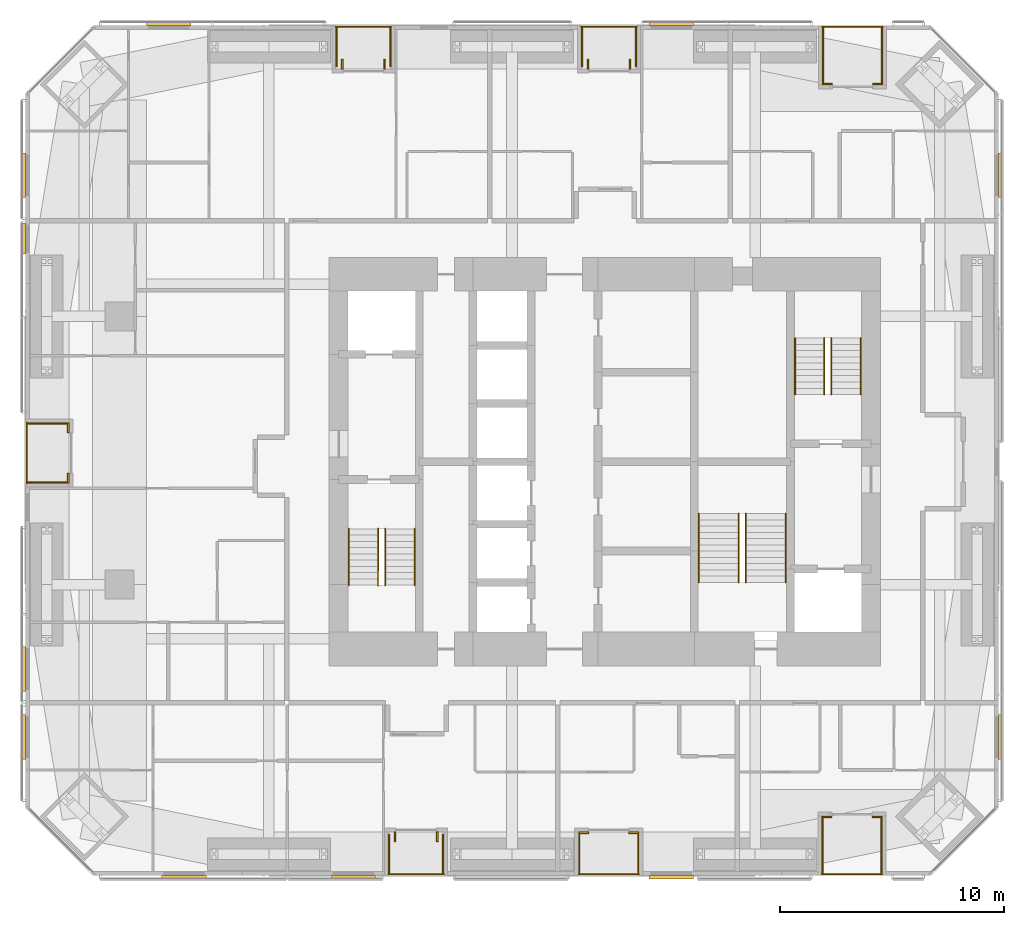
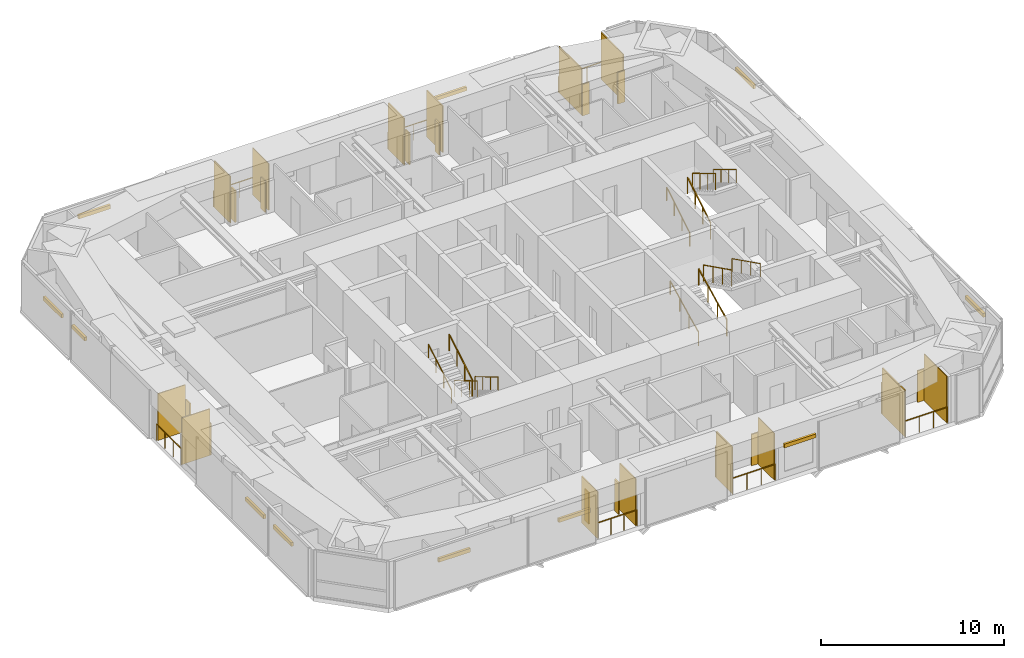
# One storey, part 23 of 23: 39 shading devices, 19 railings.
"""IFC4 building model written with IfcOpenShell, lengths in metres."""

from ifc_helpers import new_model, si_unit, direction, frame, origin, origin_2d, place, context, subcontext, project, spatial, rectangle, circle, extrude, material, layer, layer_set, constituent, constituent_set, type_object, element, save


model = new_model("IFC4")

# Units and contexts
model_context = context("Model", 3, precision=1e-05, world=origin(), true_north=direction((0.0, 1.0)))
body_context = subcontext(model_context, "Body", "Model", "MODEL_VIEW")
ifc_project = project(units=[si_unit("LENGTHUNIT", "METRE"), si_unit("AREAUNIT", "SQUARE_METRE"), si_unit("VOLUMEUNIT", "CUBIC_METRE"), si_unit("PLANEANGLEUNIT", "RADIAN"), si_unit("MASSUNIT", "GRAM", prefix="KILO")], contexts=[model_context])

# Site, building, storey
site_placement = place(None, origin())
site = spatial("IfcSite", under=ifc_project, at=site_placement, CompositionType="ELEMENT")
building_placement = place(site_placement, origin())
building = spatial("IfcBuilding", under=site, at=building_placement, Name="Jalousie Tower", CompositionType="ELEMENT")
storey_placement = place(building_placement, frame((0.0, 0.0, 84.75)))
storey = spatial("IfcBuildingStorey", under=building, at=storey_placement, Name="L22", CompositionType="ELEMENT", Elevation=84.75)

# Shading devices
ifc_material_1 = material(Name="Aluminium impact-rated louvred storm shutter", Category="aluminium")
shading_device_type_1 = type_object("IfcShadingDeviceType", Name="BI-FOLD STORM SHUTTER 900x2100", PredefinedType="SHUTTER", material=ifc_material_1)
for number, where, z_axis, x_axis, name in (
    (1, (22.5224609375, 1.72509765625, 0.0), (0.0, 0.0, 1.0), (0.0, 1.0, 0.0), "Loggia storm shutter L22"),
    (2, (24.402587890625, 1.72509765625, 0.0), (0.0, 0.0, 1.0), (0.0, 1.0, 0.0), "Loggia storm shutter L22"),
    (3, (30.949951171875, 1.909912109375, 0.0), (0.0, 0.0, 1.0), (1.0, 0.0, 0.0), "Loggia storm shutter L22"),
    (4, (33.199951171875, 1.909912109375, 0.0), (0.0, 0.0, 1.0), (1.0, 0.0, 0.0), "Loggia storm shutter L22"),
    (5, (41.824951171875, 2.610107421875, 0.0), (0.0, 0.0, 1.0), (1.0, 0.0, 0.0), "Loggia storm shutter L22"),
    (6, (44.074951171875, 2.610107421875, 0.0), (0.0, 0.0, 1.0), (1.0, 0.0, 0.0), "Loggia storm shutter L22"),
    (7, (44.0986328125, 35.389892578125, 0.0), (0.0, 0.0, 1.0), (-1.0, 0.0, 0.0), "Loggia storm shutter L22"),
    (8, (41.8486328125, 35.389892578125, 0.0), (0.0, 0.0, 1.0), (-1.0, 0.0, 0.0), "Loggia storm shutter L22"),
    (9, (33.027587890625, 36.27490234375, 0.0), (0.0, 0.0, 1.0), (0.0, -1.0, 0.0), "Loggia storm shutter L22"),
    (10, (31.1474609375, 36.27490234375, 0.0), (0.0, 0.0, 1.0), (0.0, -1.0, 0.0), "Loggia storm shutter L22"),
    (11, (22.044677734375, 36.27490234375, 0.0), (0.0, 0.0, 1.0), (0.0, -1.0, 0.0), "Loggia storm shutter L22"),
    (12, (20.164794921875, 36.27490234375, 0.0), (0.0, 0.0, 1.0), (0.0, -1.0, 0.0), "Loggia storm shutter L22"),
    (13, (7.909912109375, 20.012451171875, 0.0), (0.0, 0.0, 1.0), (0.0, -1.0, 0.0), "Loggia storm shutter L22"),
    (14, (7.909912109375, 17.762451171875, 0.0), (0.0, 0.0, 1.0), (0.0, -1.0, 0.0), "Loggia storm shutter L22"),
):
    element("IfcShadingDevice", number, at=place(storey_placement, frame(where, z_axis=z_axis, x_axis=x_axis)), inside=storey, type_object=shading_device_type_1, Name=name, PredefinedType="SHUTTER", context=body_context, shape_type="SweptSolid", body=[
        extrude(rectangle(XDim=0.449951171875, YDim=0.080078125, at=origin_2d()), origin(), (0.0, 0.0, 1.0), 2.10009765625),
    ])

# Railings
ifc_material_2 = material(Name="Powder-coated aluminium fretwork", Category="aluminium")
railing_type_1 = type_object("IfcRailingType", Name="FRETWORK BALUSTRADE 1100", PredefinedType="BALUSTRADE", material=ifc_material_2)
railing_1_placement = place(storey_placement, frame((22.22509765625, 0.050048828125, 0.0)))
element("IfcRailing", 15, at=railing_1_placement, inside=storey, type_object=railing_type_1, Name="Loggia fretwork balustrade L22", PredefinedType="BALUSTRADE", context=body_context, shape_type="SweptSolid", body=[
    extrude(rectangle(XDim=0.048095703125, YDim=0.048095703125, at=origin_2d()), frame((0.0, 0.0, 1.076171875), z_axis=(1.0, 0.0, 0.0), x_axis=(0.0, 1.0, 0.0)), (0.0, 0.0, 1.0), 2.474853515625),
    extrude(circle(Radius=0.02099609375, at=origin_2d()), origin(), (0.0, 0.0, 1.0), 1.052001953125),
    extrude(circle(Radius=0.02099609375, at=origin_2d()), frame((0.824951171875, 0.0, 0.0)), (0.0, 0.0, 1.0), 1.052001953125),
    extrude(circle(Radius=0.02099609375, at=origin_2d()), frame((1.64990234375, 0.0, 0.0)), (0.0, 0.0, 1.0), 1.052001953125),
    extrude(circle(Radius=0.02099609375, at=origin_2d()), frame((2.474853515625, 0.0, 0.0)), (0.0, 0.0, 1.0), 1.052001953125),
])
for number, where, name in (
    (16, (30.72509765625, 0.050048828125, 0.0), "Loggia fretwork balustrade L22"),
    (17, (41.60009765625, 0.050048828125, 0.0), "Loggia fretwork balustrade L22"),
):
    element("IfcRailing", number, at=place(storey_placement, frame(where)), inside=storey, type_object=railing_type_1, Name=name, PredefinedType="BALUSTRADE", context=body_context, shape_type="SweptSolid", body=[
        extrude(rectangle(XDim=0.048095703125, YDim=0.048095703125, at=origin_2d()), frame((0.0, 0.0, 1.076171875), z_axis=(1.0, 0.0, 0.0), x_axis=(0.0, 1.0, 0.0)), (0.0, 0.0, 1.0), 2.699951171875),
        extrude(circle(Radius=0.02099609375, at=origin_2d()), origin(), (0.0, 0.0, 1.0), 1.052001953125),
        extrude(circle(Radius=0.02099609375, at=origin_2d()), frame((0.89990234375, 0.0, 0.0)), (0.0, 0.0, 1.0), 1.052001953125),
        extrude(circle(Radius=0.02099609375, at=origin_2d()), frame((1.800048828125, 0.0, 0.0)), (0.0, 0.0, 1.0), 1.052001953125),
        extrude(circle(Radius=0.02099609375, at=origin_2d()), frame((2.699951171875, 0.0, 0.0)), (0.0, 0.0, 1.0), 1.052001953125),
    ])
railing_2_placement = place(storey_placement, frame((44.32373046875, 37.949951171875, 0.0)))
element("IfcRailing", 18, at=railing_2_placement, inside=storey, type_object=railing_type_1, Name="Loggia fretwork balustrade L22", PredefinedType="BALUSTRADE", context=body_context, shape_type="SweptSolid", body=[
    extrude(rectangle(XDim=0.048095703125, YDim=0.048095703125, at=origin_2d()), frame((0.0, 0.0, 1.076171875), z_axis=(-1.0, 0.0, 0.0), x_axis=(0.0, -1.0, 0.0)), (0.0, 0.0, 1.0), 2.699951171875),
    extrude(circle(Radius=0.02099609375, at=origin_2d()), origin(), (0.0, 0.0, 1.0), 1.052001953125),
    extrude(circle(Radius=0.02099609375, at=origin_2d()), frame((-0.89990234375, 0.0, 0.0)), (0.0, 0.0, 1.0), 1.052001953125),
    extrude(circle(Radius=0.02099609375, at=origin_2d()), frame((-1.800048828125, 0.0, 0.0)), (0.0, 0.0, 1.0), 1.052001953125),
    extrude(circle(Radius=0.02099609375, at=origin_2d()), frame((-2.699951171875, 0.0, 0.0)), (0.0, 0.0, 1.0), 1.052001953125),
])
railing_3_placement = place(storey_placement, frame((33.324951171875, 37.949951171875, 0.0)))
element("IfcRailing", 19, at=railing_3_placement, inside=storey, type_object=railing_type_1, Name="Loggia fretwork balustrade L22", PredefinedType="BALUSTRADE", context=body_context, shape_type="SweptSolid", body=[
    extrude(rectangle(XDim=0.048095703125, YDim=0.048095703125, at=origin_2d()), frame((0.0, 0.0, 1.076171875), z_axis=(-1.0, 0.0, 0.0), x_axis=(0.0, -1.0, 0.0)), (0.0, 0.0, 1.0), 2.474853515625),
    extrude(circle(Radius=0.02099609375, at=origin_2d()), origin(), (0.0, 0.0, 1.0), 1.052001953125),
    extrude(circle(Radius=0.02099609375, at=origin_2d()), frame((-0.824951171875, 0.0, 0.0)), (0.0, 0.0, 1.0), 1.052001953125),
    extrude(circle(Radius=0.02099609375, at=origin_2d()), frame((-1.64990234375, 0.0, 0.0)), (0.0, 0.0, 1.0), 1.052001953125),
    extrude(circle(Radius=0.02099609375, at=origin_2d()), frame((-2.474853515625, 0.0, 0.0)), (0.0, 0.0, 1.0), 1.052001953125),
])
railing_4_placement = place(storey_placement, frame((22.34228515625, 37.949951171875, 0.0)))
element("IfcRailing", 20, at=railing_4_placement, inside=storey, type_object=railing_type_1, Name="Loggia fretwork balustrade L22", PredefinedType="BALUSTRADE", context=body_context, shape_type="SweptSolid", body=[
    extrude(rectangle(XDim=0.048095703125, YDim=0.048095703125, at=origin_2d()), frame((0.0, 0.0, 1.076171875), z_axis=(-1.0, 0.0, 0.0), x_axis=(0.0, -1.0, 0.0)), (0.0, 0.0, 1.0), 2.47509765625),
    extrude(circle(Radius=0.02099609375, at=origin_2d()), origin(), (0.0, 0.0, 1.0), 1.052001953125),
    extrude(circle(Radius=0.02099609375, at=origin_2d()), frame((-0.824951171875, 0.0, 0.0)), (0.0, 0.0, 1.0), 1.052001953125),
    extrude(circle(Radius=0.02099609375, at=origin_2d()), frame((-1.650146484375, 0.0, 0.0)), (0.0, 0.0, 1.0), 1.052001953125),
    extrude(circle(Radius=0.02099609375, at=origin_2d()), frame((-2.47509765625, 0.0, 0.0)), (0.0, 0.0, 1.0), 1.052001953125),
])
railing_5_placement = place(storey_placement, frame((6.050048828125, 20.24169921875, 0.0)))
element("IfcRailing", 21, at=railing_5_placement, inside=storey, type_object=railing_type_1, Name="Loggia fretwork balustrade L22", PredefinedType="BALUSTRADE", context=body_context, shape_type="SweptSolid", body=[
    extrude(rectangle(XDim=0.048095703125, YDim=0.048095703125, at=origin_2d()), frame((0.0, 0.0, 1.076171875), z_axis=(0.0, -1.0, 0.0), x_axis=(1.0, 0.0, 0.0)), (0.0, 0.0, 1.0), 2.70849609375),
    extrude(circle(Radius=0.02099609375, at=origin_2d()), origin(), (0.0, 0.0, 1.0), 1.052001953125),
    extrude(circle(Radius=0.02099609375, at=origin_2d()), frame((0.0, -0.90283203125, 0.0)), (0.0, 0.0, 1.0), 1.052001953125),
    extrude(circle(Radius=0.02099609375, at=origin_2d()), frame((0.0, -1.8056640625, 0.0)), (0.0, 0.0, 1.0), 1.052001953125),
    extrude(circle(Radius=0.02099609375, at=origin_2d()), frame((0.0, -2.70849609375, 0.0)), (0.0, 0.0, 1.0), 1.052001953125),
])

# Shading devices
ifc_material_3 = material(Name="Powder-coated aluminium louvres", Category="aluminium")
ifc_layer = layer(ifc_material_3, 0.06005859375)
ifc_layer_set = layer_set([ifc_layer], Name="Powder-coated aluminium louvres")
shading_device_type_2 = type_object("IfcShadingDeviceType", Name="JALOUSIE LOUVRE SCREEN", PredefinedType="JALOUSIE", material=ifc_layer_set)
for number, where, z_axis, x_axis, name in (
    (22, (22.2548828125, 0.97509765625, 0.0), (0.0, 0.0, 1.0), (1.0, 0.0, 0.0), "Loggia jalousie louvre screen L22"),
    (23, (24.669921875, 0.97509765625, 0.0), (0.0, 0.0, 1.0), (1.0, 0.0, 0.0), "Loggia jalousie louvre screen L22"),
    (24, (30.7548828125, 0.97509765625, 0.0), (0.0, 0.0, 1.0), (1.0, 0.0, 0.0), "Loggia jalousie louvre screen L22"),
    (25, (33.39501953125, 0.97509765625, 0.0), (0.0, 0.0, 1.0), (1.0, 0.0, 0.0), "Loggia jalousie louvre screen L22"),
):
    element("IfcShadingDevice", number, at=place(storey_placement, frame(where, z_axis=z_axis, x_axis=x_axis)), inside=storey, type_object=shading_device_type_2, Name=name, PredefinedType="JALOUSIE", context=body_context, shape_type="SweptSolid", body=[
        extrude(rectangle(XDim=0.06005859375, YDim=1.75, at=origin_2d()), origin(), (0.0, 0.0, 1.0), 3.110107421875),
    ])
for number, where, z_axis, x_axis, name in (
    (26, (41.6298828125, 1.324951171875, 0.0), (0.0, 0.0, 1.0), (1.0, 0.0, 0.0), "Loggia jalousie louvre screen L22"),
    (27, (44.27001953125, 1.324951171875, 0.0), (0.0, 0.0, 1.0), (1.0, 0.0, 0.0), "Loggia jalousie louvre screen L22"),
    (28, (44.293701171875, 36.675048828125, 0.0), (0.0, 0.0, 1.0), (-1.0, 0.0, 0.0), "Loggia jalousie louvre screen L22"),
    (29, (41.65380859375, 36.675048828125, 0.0), (0.0, 0.0, 1.0), (-1.0, 0.0, 0.0), "Loggia jalousie louvre screen L22"),
):
    element("IfcShadingDevice", number, at=place(storey_placement, frame(where, z_axis=z_axis, x_axis=x_axis)), inside=storey, type_object=shading_device_type_2, Name=name, PredefinedType="JALOUSIE", context=body_context, shape_type="SweptSolid", body=[
        extrude(rectangle(XDim=0.06005859375, YDim=2.449951171875, at=origin_2d()), origin(), (0.0, 0.0, 1.0), 3.110107421875),
    ])
for number, where, z_axis, x_axis, name in (
    (30, (33.294921875, 37.02490234375, 0.0), (0.0, 0.0, 1.0), (-1.0, 0.0, 0.0), "Loggia jalousie louvre screen L22"),
    (31, (30.8798828125, 37.02490234375, 0.0), (0.0, 0.0, 1.0), (-1.0, 0.0, 0.0), "Loggia jalousie louvre screen L22"),
    (32, (22.312255859375, 37.02490234375, 0.0), (0.0, 0.0, 1.0), (-1.0, 0.0, 0.0), "Loggia jalousie louvre screen L22"),
    (33, (19.897216796875, 37.02490234375, 0.0), (0.0, 0.0, 1.0), (-1.0, 0.0, 0.0), "Loggia jalousie louvre screen L22"),
    (34, (6.97509765625, 20.211669921875, 0.0), (0.0, 0.0, 1.0), (0.0, -1.0, 0.0), "Loggia jalousie louvre screen L22"),
    (35, (6.97509765625, 17.563232421875, 0.0), (0.0, 0.0, 1.0), (0.0, -1.0, 0.0), "Loggia jalousie louvre screen L22"),
):
    element("IfcShadingDevice", number, at=place(storey_placement, frame(where, z_axis=z_axis, x_axis=x_axis)), inside=storey, type_object=shading_device_type_2, Name=name, PredefinedType="JALOUSIE", context=body_context, shape_type="SweptSolid", body=[
        extrude(rectangle(XDim=0.06005859375, YDim=1.75, at=origin_2d()), origin(), (0.0, 0.0, 1.0), 3.110107421875),
    ])

# Railings
ifc_material_4 = material(Name="Steel ASTM A500 Grade C", Category="steel")
ifc_constituent_1 = constituent(ifc_material_4, Name="Body")
ifc_material_5 = material(Name="Hot-dip galvanised zinc coating")
ifc_constituent_2 = constituent(ifc_material_5, Name="Finish")
ifc_constituent_set_1 = constituent_set(constituents=[ifc_constituent_1, ifc_constituent_2])
railing_type_2 = type_object("IfcRailingType", Name="STAIR GUARD 1100", PredefinedType="GUARDRAIL", material=ifc_constituent_set_1)
railing_6_placement = place(storey_placement, frame((22.080078125, 15.49755859375, 0.16748046875)))
element("IfcRailing", 36, at=railing_6_placement, inside=storey, type_object=railing_type_2, Name="Exit stair A guard L22 flight 1", PredefinedType="GUARDRAIL", context=body_context, shape_type="SweptSolid", body=[
    extrude(rectangle(XDim=0.048095703125, YDim=0.048095703125, at=origin_2d()), frame((0.0, 0.0, 1.076171875), z_axis=(0.0, -0.858159760407, 0.513382728203), x_axis=(1.0, 0.0, 0.0)), (0.0, 0.0, 1.0), 2.9365234375),
    extrude(circle(Radius=0.02099609375, at=origin_2d()), origin(), (0.0, 0.0, 1.0), 1.052001953125),
    extrude(circle(Radius=0.02099609375, at=origin_2d()), frame((0.0, -0.840087890625, 0.50244140625)), (0.0, 0.0, 1.0), 1.052001953125),
    extrude(circle(Radius=0.02099609375, at=origin_2d()), frame((0.0, -1.679931640625, 1.005126953125)), (0.0, 0.0, 1.0), 1.052001953125),
    extrude(circle(Radius=0.02099609375, at=origin_2d()), frame((0.0, -2.52001953125, 1.507568359375)), (0.0, 0.0, 1.0), 1.052001953125),
])
for number, where, name in (
    (37, (21.77001953125, 12.9775390625, 1.842529296875), "Exit stair A guard L22 flight 2"),
    (38, (41.719970703125, 21.50244140625, 0.16748046875), "Exit stair B guard L22 flight 1"),
):
    element("IfcRailing", number, at=place(storey_placement, frame(where)), inside=storey, type_object=railing_type_2, Name=name, PredefinedType="GUARDRAIL", context=body_context, shape_type="SweptSolid", body=[
        extrude(rectangle(XDim=0.048095703125, YDim=0.048095703125, at=origin_2d()), frame((0.0, 0.0, 1.076171875), z_axis=(0.0, 0.858159760407, 0.513382728203), x_axis=(-1.0, 0.0, 0.0)), (0.0, 0.0, 1.0), 2.9365234375),
        extrude(circle(Radius=0.02099609375, at=origin_2d()), origin(), (0.0, 0.0, 1.0), 1.052001953125),
        extrude(circle(Radius=0.02099609375, at=origin_2d()), frame((0.0, 0.840087890625, 0.50244140625)), (0.0, 0.0, 1.0), 1.052001953125),
        extrude(circle(Radius=0.02099609375, at=origin_2d()), frame((0.0, 1.679931640625, 1.005126953125)), (0.0, 0.0, 1.0), 1.052001953125),
        extrude(circle(Radius=0.02099609375, at=origin_2d()), frame((0.0, 2.52001953125, 1.507568359375)), (0.0, 0.0, 1.0), 1.052001953125),
    ])
railing_7_placement = place(storey_placement, frame((42.030029296875, 24.0224609375, 1.842529296875)))
element("IfcRailing", 39, at=railing_7_placement, inside=storey, type_object=railing_type_2, Name="Exit stair B guard L22 flight 2", PredefinedType="GUARDRAIL", context=body_context, shape_type="SweptSolid", body=[
    extrude(rectangle(XDim=0.048095703125, YDim=0.048095703125, at=origin_2d()), frame((0.0, 0.0, 1.076171875), z_axis=(0.0, -0.858159760407, 0.513382728203), x_axis=(1.0, 0.0, 0.0)), (0.0, 0.0, 1.0), 2.9365234375),
    extrude(circle(Radius=0.02099609375, at=origin_2d()), origin(), (0.0, 0.0, 1.0), 1.052001953125),
    extrude(circle(Radius=0.02099609375, at=origin_2d()), frame((0.0, -0.840087890625, 0.50244140625)), (0.0, 0.0, 1.0), 1.052001953125),
    extrude(circle(Radius=0.02099609375, at=origin_2d()), frame((0.0, -1.679931640625, 1.005126953125)), (0.0, 0.0, 1.0), 1.052001953125),
    extrude(circle(Radius=0.02099609375, at=origin_2d()), frame((0.0, -2.52001953125, 1.507568359375)), (0.0, 0.0, 1.0), 1.052001953125),
])
railing_8_placement = place(storey_placement, frame((37.89501953125, 13.097412109375, 0.1396484375)))
element("IfcRailing", 40, at=railing_8_placement, inside=storey, type_object=railing_type_2, Name="Exit stair C guard L22 flight 1", PredefinedType="GUARDRAIL", context=body_context, shape_type="SweptSolid", body=[
    extrude(rectangle(XDim=0.048095703125, YDim=0.048095703125, at=origin_2d()), frame((0.0, 0.0, 1.076171875), z_axis=(0.0, 0.894965676997, 0.446134998624), x_axis=(-1.0, 0.0, 0.0)), (0.0, 0.0, 1.0), 3.441650390625),
    extrude(circle(Radius=0.02099609375, at=origin_2d()), origin(), (0.0, 0.0, 1.0), 1.052001953125),
    extrude(circle(Radius=0.02099609375, at=origin_2d()), frame((0.0, 1.026611328125, 0.51171875)), (0.0, 0.0, 1.0), 1.052001953125),
    extrude(circle(Radius=0.02099609375, at=origin_2d()), frame((0.0, 2.053466796875, 1.023681640625)), (0.0, 0.0, 1.0), 1.052001953125),
    extrude(circle(Radius=0.02099609375, at=origin_2d()), frame((0.0, 3.080078125, 1.535400390625)), (0.0, 0.0, 1.0), 1.052001953125),
])
railing_9_placement = place(storey_placement, frame((38.205078125, 16.177490234375, 1.814697265625)))
element("IfcRailing", 41, at=railing_9_placement, inside=storey, type_object=railing_type_2, Name="Exit stair C guard L22 flight 2", PredefinedType="GUARDRAIL", context=body_context, shape_type="SweptSolid", body=[
    extrude(rectangle(XDim=0.048095703125, YDim=0.048095703125, at=origin_2d()), frame((0.0, 0.0, 1.076171875), z_axis=(0.0, -0.894965676997, 0.446134998624), x_axis=(1.0, 0.0, 0.0)), (0.0, 0.0, 1.0), 3.441650390625),
    extrude(circle(Radius=0.02099609375, at=origin_2d()), origin(), (0.0, 0.0, 1.0), 1.052001953125),
    extrude(circle(Radius=0.02099609375, at=origin_2d()), frame((0.0, -1.026611328125, 0.51171875)), (0.0, 0.0, 1.0), 1.052001953125),
    extrude(circle(Radius=0.02099609375, at=origin_2d()), frame((0.0, -2.053466796875, 1.023681640625)), (0.0, 0.0, 1.0), 1.052001953125),
    extrude(circle(Radius=0.02099609375, at=origin_2d()), frame((0.0, -3.080078125, 1.535400390625)), (0.0, 0.0, 1.0), 1.052001953125),
])
ifc_material_6 = material(Name="Steel ASTM A500 Grade C", Category="steel")
ifc_constituent_3 = constituent(ifc_material_6, Name="Body")
ifc_material_7 = material(Name="Hot-dip galvanised zinc coating")
ifc_constituent_4 = constituent(ifc_material_7, Name="Finish")
ifc_constituent_set_2 = constituent_set(constituents=[ifc_constituent_3, ifc_constituent_4])
railing_type_3 = type_object("IfcRailingType", Name="STAIR HANDRAIL 900", PredefinedType="HANDRAIL", material=ifc_constituent_set_2)
railing_10_placement = place(storey_placement, frame((23.39501953125, 15.49755859375, 0.16748046875)))
element("IfcRailing", 42, at=railing_10_placement, inside=storey, type_object=railing_type_3, Name="Exit stair A handrail L22 flight 1", PredefinedType="HANDRAIL", context=body_context, shape_type="SweptSolid", body=[
    extrude(circle(Radius=0.02392578125, at=origin_2d()), frame((0.0, 0.0, 0.8759765625), z_axis=(0.0, -0.858159760407, 0.513382728203), x_axis=(1.0, 0.0, 0.0)), (0.0, 0.0, 1.0), 2.9365234375),
    extrude(circle(Radius=0.02099609375, at=origin_2d()), origin(), (0.0, 0.0, 1.0), 0.851806640625),
    extrude(circle(Radius=0.02099609375, at=origin_2d()), frame((0.0, -0.840087890625, 0.50244140625)), (0.0, 0.0, 1.0), 0.851806640625),
    extrude(circle(Radius=0.02099609375, at=origin_2d()), frame((0.0, -1.679931640625, 1.005126953125)), (0.0, 0.0, 1.0), 0.851806640625),
    extrude(circle(Radius=0.02099609375, at=origin_2d()), frame((0.0, -2.52001953125, 1.507568359375)), (0.0, 0.0, 1.0), 0.851806640625),
])
for number, where, name in (
    (43, (20.455078125, 12.9775390625, 1.842529296875), "Exit stair A handrail L22 flight 2"),
    (44, (40.405029296875, 21.50244140625, 0.16748046875), "Exit stair B handrail L22 flight 1"),
):
    element("IfcRailing", number, at=place(storey_placement, frame(where)), inside=storey, type_object=railing_type_3, Name=name, PredefinedType="HANDRAIL", context=body_context, shape_type="SweptSolid", body=[
        extrude(circle(Radius=0.02392578125, at=origin_2d()), frame((0.0, 0.0, 0.8759765625), z_axis=(0.0, 0.858159760407, 0.513382728203), x_axis=(-1.0, 0.0, 0.0)), (0.0, 0.0, 1.0), 2.9365234375),
        extrude(circle(Radius=0.02099609375, at=origin_2d()), origin(), (0.0, 0.0, 1.0), 0.851806640625),
        extrude(circle(Radius=0.02099609375, at=origin_2d()), frame((0.0, 0.840087890625, 0.50244140625)), (0.0, 0.0, 1.0), 0.851806640625),
        extrude(circle(Radius=0.02099609375, at=origin_2d()), frame((0.0, 1.679931640625, 1.005126953125)), (0.0, 0.0, 1.0), 0.851806640625),
        extrude(circle(Radius=0.02099609375, at=origin_2d()), frame((0.0, 2.52001953125, 1.507568359375)), (0.0, 0.0, 1.0), 0.851806640625),
    ])
railing_11_placement = place(storey_placement, frame((43.344970703125, 24.0224609375, 1.842529296875)))
element("IfcRailing", 45, at=railing_11_placement, inside=storey, type_object=railing_type_3, Name="Exit stair B handrail L22 flight 2", PredefinedType="HANDRAIL", context=body_context, shape_type="SweptSolid", body=[
    extrude(circle(Radius=0.02392578125, at=origin_2d()), frame((0.0, 0.0, 0.8759765625), z_axis=(0.0, -0.858159760407, 0.513382728203), x_axis=(1.0, 0.0, 0.0)), (0.0, 0.0, 1.0), 2.9365234375),
    extrude(circle(Radius=0.02099609375, at=origin_2d()), origin(), (0.0, 0.0, 1.0), 0.851806640625),
    extrude(circle(Radius=0.02099609375, at=origin_2d()), frame((0.0, -0.840087890625, 0.50244140625)), (0.0, 0.0, 1.0), 0.851806640625),
    extrude(circle(Radius=0.02099609375, at=origin_2d()), frame((0.0, -1.679931640625, 1.005126953125)), (0.0, 0.0, 1.0), 0.851806640625),
    extrude(circle(Radius=0.02099609375, at=origin_2d()), frame((0.0, -2.52001953125, 1.507568359375)), (0.0, 0.0, 1.0), 0.851806640625),
])
railing_12_placement = place(storey_placement, frame((36.10498046875, 13.097412109375, 0.1396484375)))
element("IfcRailing", 46, at=railing_12_placement, inside=storey, type_object=railing_type_3, Name="Exit stair C handrail L22 flight 1", PredefinedType="HANDRAIL", context=body_context, shape_type="SweptSolid", body=[
    extrude(circle(Radius=0.02392578125, at=origin_2d()), frame((0.0, 0.0, 0.8759765625), z_axis=(0.0, 0.894965676997, 0.446134998624), x_axis=(-1.0, 0.0, 0.0)), (0.0, 0.0, 1.0), 3.441650390625),
    extrude(circle(Radius=0.02099609375, at=origin_2d()), origin(), (0.0, 0.0, 1.0), 0.851806640625),
    extrude(circle(Radius=0.02099609375, at=origin_2d()), frame((0.0, 1.026611328125, 0.51171875)), (0.0, 0.0, 1.0), 0.851806640625),
    extrude(circle(Radius=0.02099609375, at=origin_2d()), frame((0.0, 2.053466796875, 1.023681640625)), (0.0, 0.0, 1.0), 0.851806640625),
    extrude(circle(Radius=0.02099609375, at=origin_2d()), frame((0.0, 3.080078125, 1.535400390625)), (0.0, 0.0, 1.0), 0.851806640625),
])
railing_13_placement = place(storey_placement, frame((39.9951171875, 16.177490234375, 1.814697265625)))
element("IfcRailing", 47, at=railing_13_placement, inside=storey, type_object=railing_type_3, Name="Exit stair C handrail L22 flight 2", PredefinedType="HANDRAIL", context=body_context, shape_type="SweptSolid", body=[
    extrude(circle(Radius=0.02392578125, at=origin_2d()), frame((0.0, 0.0, 0.8759765625), z_axis=(0.0, -0.894965676997, 0.446134998624), x_axis=(1.0, 0.0, 0.0)), (0.0, 0.0, 1.0), 3.441650390625),
    extrude(circle(Radius=0.02099609375, at=origin_2d()), origin(), (0.0, 0.0, 1.0), 0.851806640625),
    extrude(circle(Radius=0.02099609375, at=origin_2d()), frame((0.0, -1.026611328125, 0.51171875)), (0.0, 0.0, 1.0), 0.851806640625),
    extrude(circle(Radius=0.02099609375, at=origin_2d()), frame((0.0, -2.053466796875, 1.023681640625)), (0.0, 0.0, 1.0), 0.851806640625),
    extrude(circle(Radius=0.02099609375, at=origin_2d()), frame((0.0, -3.080078125, 1.535400390625)), (0.0, 0.0, 1.0), 0.851806640625),
])

# Shading devices
ifc_material_8 = material(Name="Aluminium roller storm shutter", Category="aluminium")
shading_device_type_3 = type_object("IfcShadingDeviceType", Name="STORM SHUTTER HOUSING", PredefinedType="SHUTTER", material=ifc_material_8)
for number, where, z_axis, x_axis, name in (
    (48, (13.0849609375, -0.074951171875, 2.10009765625), (0.0, 0.0, 1.0), (1.0, 0.0, 0.0), "Storm shutter L22"),
    (49, (20.657470703125, -0.074951171875, 2.10009765625), (0.0, 0.0, 1.0), (1.0, 0.0, 0.0), "Storm shutter L22"),
    (50, (34.875, -0.074951171875, 2.10009765625), (0.0, 0.0, 1.0), (1.0, 0.0, 0.0), "Storm shutter L22"),
    (51, (49.574951171875, 6.193115234375, 2.10009765625), (0.0, 0.0, 1.0), (0.0, 1.0, 0.0), "Storm shutter L22"),
    (52, (49.574951171875, 31.306884765625, 2.10009765625), (0.0, 0.0, 1.0), (0.0, 1.0, 0.0), "Storm shutter L22"),
    (53, (34.875, 38.074951171875, 2.10009765625), (0.0, 0.0, 1.0), (-1.0, 0.0, 0.0), "Storm shutter L22"),
    (54, (12.39990234375, 38.074951171875, 2.10009765625), (0.0, 0.0, 1.0), (-1.0, 0.0, 0.0), "Storm shutter L22"),
    (55, (5.925048828125, 31.306884765625, 2.10009765625), (0.0, 0.0, 1.0), (0.0, -1.0, 0.0), "Storm shutter L22"),
):
    element("IfcShadingDevice", number, at=place(storey_placement, frame(where, z_axis=z_axis, x_axis=x_axis)), inside=storey, type_object=shading_device_type_3, Name=name, PredefinedType="SHUTTER", context=body_context, shape_type="SweptSolid", body=[
        extrude(rectangle(XDim=2.0, YDim=0.14990234375, at=origin_2d()), origin(), (0.0, 0.0, 1.0), 0.25),
    ])
shading_device_placement = place(storey_placement, frame((5.925048828125, 28.47509765625, 2.10009765625), z_axis=(0.0, 0.0, 1.0), x_axis=(0.0, -1.0, 0.0)))
element("IfcShadingDevice", 56, at=shading_device_placement, inside=storey, type_object=shading_device_type_3, Name="Storm shutter L22", PredefinedType="SHUTTER", context=body_context, shape_type="SweptSolid", body=[
    extrude(rectangle(XDim=1.39990234375, YDim=0.14990234375, at=origin_2d()), origin(), (0.0, 0.0, 1.0), 0.25),
])
for number, where, z_axis, x_axis, name in (
    (57, (5.925048828125, 9.22509765625, 2.10009765625), (0.0, 0.0, 1.0), (0.0, -1.0, 0.0), "Storm shutter L22"),
    (58, (5.925048828125, 6.193115234375, 2.10009765625), (0.0, 0.0, 1.0), (0.0, -1.0, 0.0), "Storm shutter L22"),
):
    element("IfcShadingDevice", number, at=place(storey_placement, frame(where, z_axis=z_axis, x_axis=x_axis)), inside=storey, type_object=shading_device_type_3, Name=name, PredefinedType="SHUTTER", context=body_context, shape_type="SweptSolid", body=[
        extrude(rectangle(XDim=2.0, YDim=0.14990234375, at=origin_2d()), origin(), (0.0, 0.0, 1.0), 0.25),
    ])

save(model, "model.ifc")
